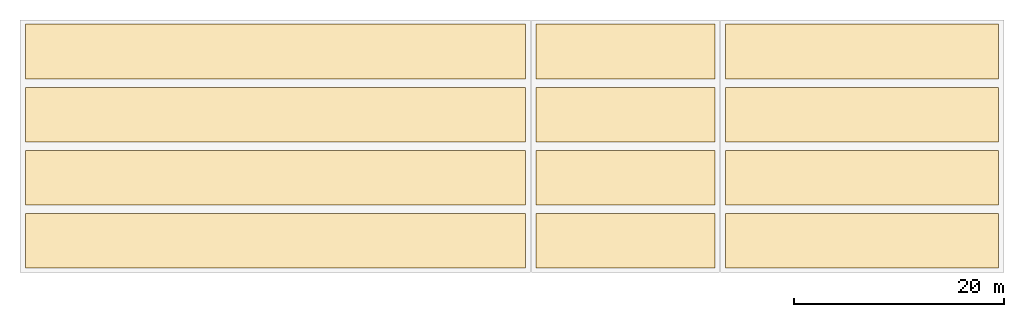
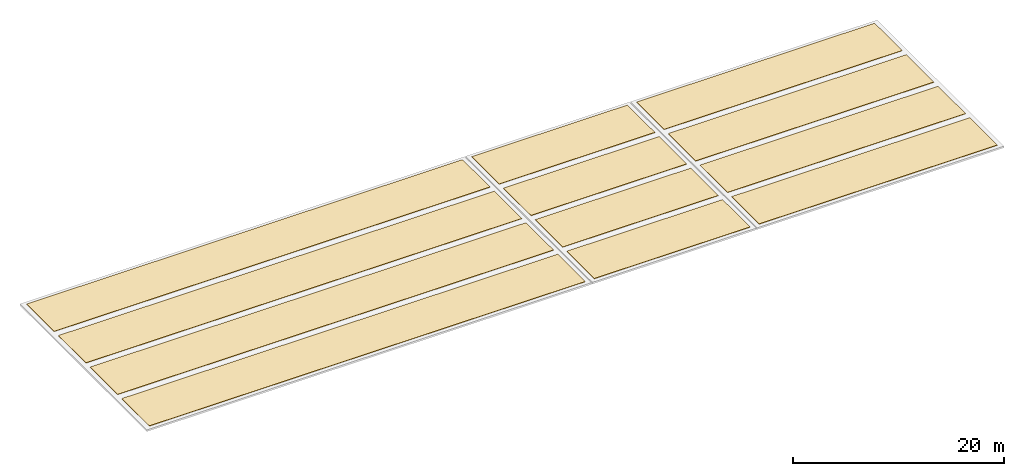
# One storey, part 2 of 2: 12 coverings.
"""IFC4 building model written with IfcOpenShell, lengths in metres."""

from ifc_helpers import new_model, si_unit, direction, frame, origin, place, context, subcontext, project, spatial, polyline, outline, extrude, material, layer, layer_set, type_object, element, save


model = new_model("IFC4")

# Units and contexts
model_context = context("Model", 3, precision=1e-05, world=origin(), true_north=direction((0.0, 1.0)))
body_context = subcontext(model_context, "Body", "Model", "MODEL_VIEW")
ifc_project = project(units=[si_unit("LENGTHUNIT", "METRE"), si_unit("AREAUNIT", "SQUARE_METRE"), si_unit("VOLUMEUNIT", "CUBIC_METRE"), si_unit("PLANEANGLEUNIT", "RADIAN"), si_unit("MASSUNIT", "GRAM", prefix="KILO")], contexts=[model_context])

# Site, building, storey
site_placement = place(None, origin())
site = spatial("IfcSite", under=ifc_project, at=site_placement, CompositionType="ELEMENT")
building_placement = place(site_placement, origin())
building = spatial("IfcBuilding", under=site, at=building_placement, Name="Montelvaro Courts of Justice", CompositionType="ELEMENT")
storey_placement = place(building_placement, frame((0.0, 0.0, 39.39990234375)))
storey = spatial("IfcBuildingStorey", under=building, at=storey_placement, Name="RF", CompositionType="ELEMENT", Elevation=39.39990234375)

# Coverings
ifc_material = material(Name="Standing seam zinc roofing", Category="steel")
ifc_layer = layer(ifc_material, 0.050048828125)
ifc_layer_set = layer_set([ifc_layer], Name="Standing seam zinc roofing")
covering_type = type_object("IfcCoveringType", Name="StandingSeamRoofing", PredefinedType="ROOFING", material=ifc_layer_set)
covering_1_placement = place(storey_placement, origin())
element("IfcCovering", 1, at=covering_1_placement, inside=storey, type_object=covering_type, Name="Crown Roof Standing Seam Covering RCV-01 RF-1W", PredefinedType="ROOFING", context=body_context, shape_type="SweptSolid", body=[
    extrude(outline(polyline([(32.89990234375, 0.39990234375), (80.5, 0.39990234375), (80.5, 5.60009765625), (32.89990234375, 5.60009765625), (32.89990234375, 0.39990234375)])), origin(), (0.0, 0.0, 1.0), 0.050048828125),
])
covering_2_placement = place(storey_placement, origin())
element("IfcCovering", 2, at=covering_2_placement, inside=storey, type_object=covering_type, Name="Crown Roof Standing Seam Covering RCV-01 RF-1C", PredefinedType="ROOFING", context=body_context, shape_type="SweptSolid", body=[
    extrude(outline(polyline([(81.5, 0.39990234375), (98.5, 0.39990234375), (98.5, 5.60009765625), (81.5, 5.60009765625), (81.5, 0.39990234375)])), origin(), (0.0, 0.0, 1.0), 0.050048828125),
])
covering_3_placement = place(storey_placement, origin())
element("IfcCovering", 3, at=covering_3_placement, inside=storey, type_object=covering_type, Name="Crown Roof Standing Seam Covering RCV-01 RF-1E", PredefinedType="ROOFING", context=body_context, shape_type="SweptSolid", body=[
    extrude(outline(polyline([(99.5, 0.39990234375), (125.5, 0.39990234375), (125.5, 5.60009765625), (99.5, 5.60009765625), (99.5, 0.39990234375)])), origin(), (0.0, 0.0, 1.0), 0.050048828125),
])
covering_4_placement = place(storey_placement, origin())
element("IfcCovering", 4, at=covering_4_placement, inside=storey, type_object=covering_type, Name="Crown Roof Standing Seam Covering RCV-01 RF-2W", PredefinedType="ROOFING", context=body_context, shape_type="SweptSolid", body=[
    extrude(outline(polyline([(32.89990234375, 6.39990234375), (80.5, 6.39990234375), (80.5, 11.60009765625), (32.89990234375, 11.60009765625), (32.89990234375, 6.39990234375)])), origin(), (0.0, 0.0, 1.0), 0.050048828125),
])
covering_5_placement = place(storey_placement, origin())
element("IfcCovering", 5, at=covering_5_placement, inside=storey, type_object=covering_type, Name="Crown Roof Standing Seam Covering RCV-01 RF-2C", PredefinedType="ROOFING", context=body_context, shape_type="SweptSolid", body=[
    extrude(outline(polyline([(81.5, 6.39990234375), (98.5, 6.39990234375), (98.5, 11.60009765625), (81.5, 11.60009765625), (81.5, 6.39990234375)])), origin(), (0.0, 0.0, 1.0), 0.050048828125),
])
covering_6_placement = place(storey_placement, origin())
element("IfcCovering", 6, at=covering_6_placement, inside=storey, type_object=covering_type, Name="Crown Roof Standing Seam Covering RCV-01 RF-2E", PredefinedType="ROOFING", context=body_context, shape_type="SweptSolid", body=[
    extrude(outline(polyline([(99.5, 6.39990234375), (125.5, 6.39990234375), (125.5, 11.60009765625), (99.5, 11.60009765625), (99.5, 6.39990234375)])), origin(), (0.0, 0.0, 1.0), 0.050048828125),
])
covering_7_placement = place(storey_placement, origin())
element("IfcCovering", 7, at=covering_7_placement, inside=storey, type_object=covering_type, Name="Crown Roof Standing Seam Covering RCV-01 RF-3W", PredefinedType="ROOFING", context=body_context, shape_type="SweptSolid", body=[
    extrude(outline(polyline([(32.89990234375, 12.39990234375), (80.5, 12.39990234375), (80.5, 17.60009765625), (32.89990234375, 17.60009765625), (32.89990234375, 12.39990234375)])), origin(), (0.0, 0.0, 1.0), 0.050048828125),
])
covering_8_placement = place(storey_placement, origin())
element("IfcCovering", 8, at=covering_8_placement, inside=storey, type_object=covering_type, Name="Crown Roof Standing Seam Covering RCV-01 RF-3C", PredefinedType="ROOFING", context=body_context, shape_type="SweptSolid", body=[
    extrude(outline(polyline([(81.5, 12.39990234375), (98.5, 12.39990234375), (98.5, 17.60009765625), (81.5, 17.60009765625), (81.5, 12.39990234375)])), origin(), (0.0, 0.0, 1.0), 0.050048828125),
])
covering_9_placement = place(storey_placement, origin())
element("IfcCovering", 9, at=covering_9_placement, inside=storey, type_object=covering_type, Name="Crown Roof Standing Seam Covering RCV-01 RF-3E", PredefinedType="ROOFING", context=body_context, shape_type="SweptSolid", body=[
    extrude(outline(polyline([(99.5, 12.39990234375), (125.5, 12.39990234375), (125.5, 17.60009765625), (99.5, 17.60009765625), (99.5, 12.39990234375)])), origin(), (0.0, 0.0, 1.0), 0.050048828125),
])
covering_10_placement = place(storey_placement, origin())
element("IfcCovering", 10, at=covering_10_placement, inside=storey, type_object=covering_type, Name="Crown Roof Standing Seam Covering RCV-01 RF-4W", PredefinedType="ROOFING", context=body_context, shape_type="SweptSolid", body=[
    extrude(outline(polyline([(32.89990234375, 18.39990234375), (80.5, 18.39990234375), (80.5, 23.60009765625), (32.89990234375, 23.60009765625), (32.89990234375, 18.39990234375)])), origin(), (0.0, 0.0, 1.0), 0.050048828125),
])
covering_11_placement = place(storey_placement, origin())
element("IfcCovering", 11, at=covering_11_placement, inside=storey, type_object=covering_type, Name="Crown Roof Standing Seam Covering RCV-01 RF-4C", PredefinedType="ROOFING", context=body_context, shape_type="SweptSolid", body=[
    extrude(outline(polyline([(81.5, 18.39990234375), (98.5, 18.39990234375), (98.5, 23.60009765625), (81.5, 23.60009765625), (81.5, 18.39990234375)])), origin(), (0.0, 0.0, 1.0), 0.050048828125),
])
covering_12_placement = place(storey_placement, origin())
element("IfcCovering", 12, at=covering_12_placement, inside=storey, type_object=covering_type, Name="Crown Roof Standing Seam Covering RCV-01 RF-4E", PredefinedType="ROOFING", context=body_context, shape_type="SweptSolid", body=[
    extrude(outline(polyline([(99.5, 18.39990234375), (125.5, 18.39990234375), (125.5, 23.60009765625), (99.5, 23.60009765625), (99.5, 18.39990234375)])), origin(), (0.0, 0.0, 1.0), 0.050048828125),
])

save(model, "model.ifc")
